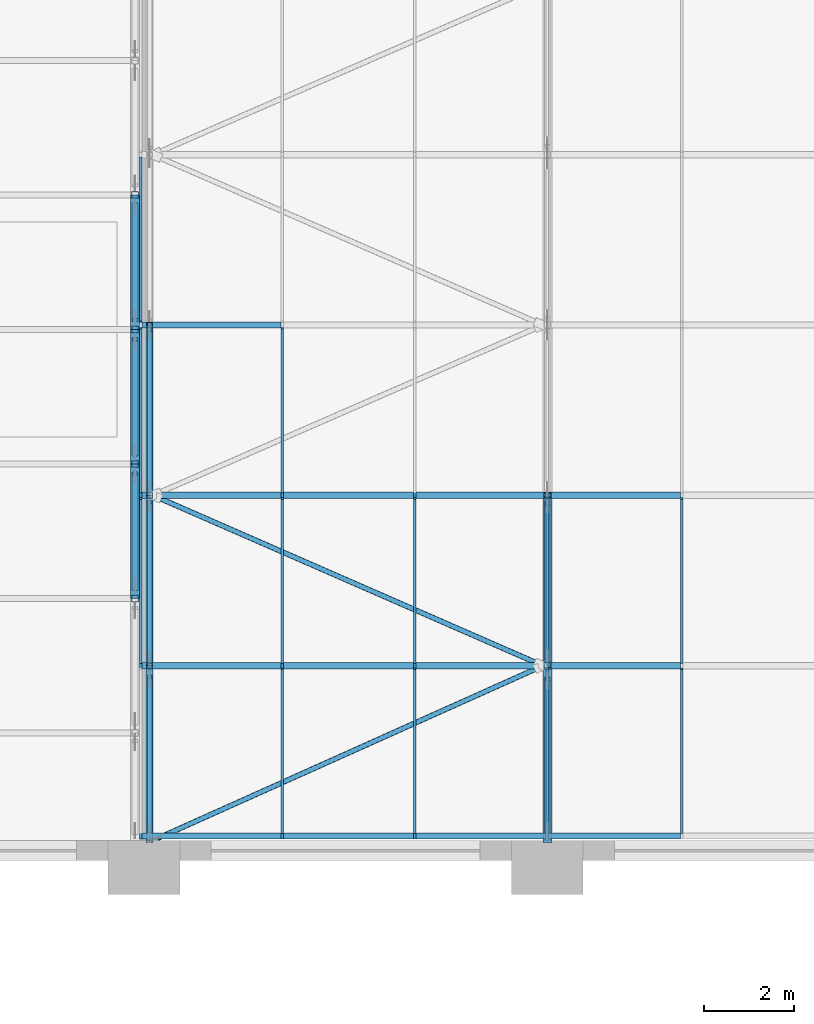
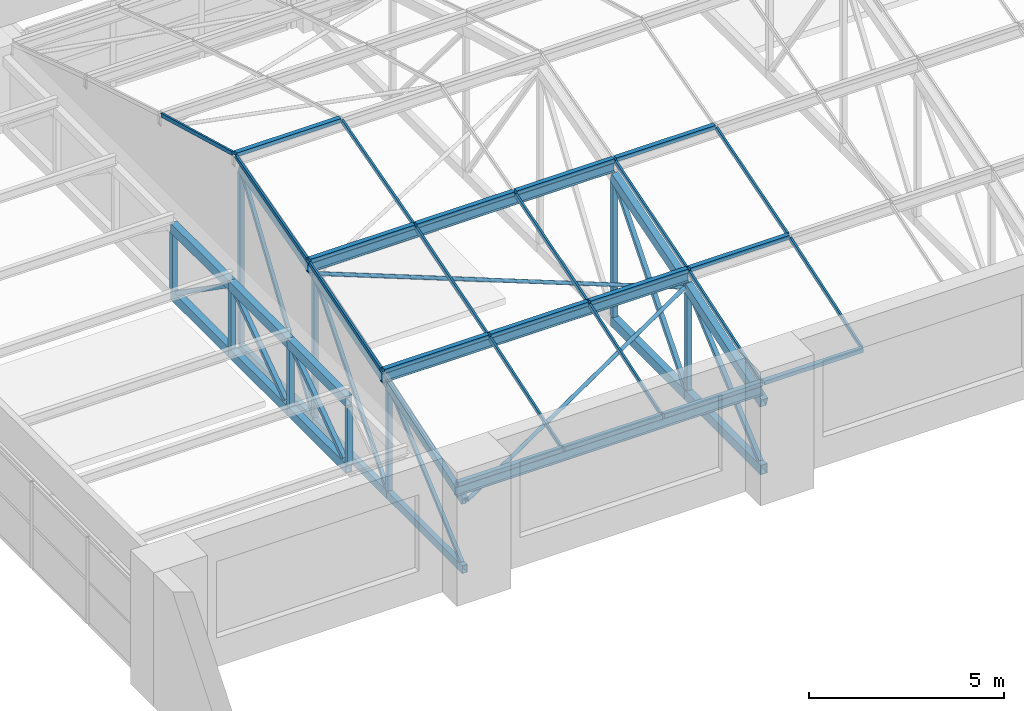
# One storey, part 6 of 82: 63 members, 1 element without a shape of its own.
"""IFC4 building model written with IfcOpenShell, lengths in metres."""

from ifc_helpers import new_model, si_unit, direction, frame, origin, origin_2d, place, context, subcontext, project, spatial, rectangle, hollow_rectangle, hollow_circle, i_section, extrude, material, material_profile, profile_set, type_object, element, aggregate, save


model = new_model("IFC4")

# Units and contexts
model_context = context("Model", 3, precision=1e-05, world=origin(), true_north=direction((0.0, 1.0)))
body_context = subcontext(model_context, "Body", "Model", "MODEL_VIEW")
ifc_project = project(units=[si_unit("LENGTHUNIT", "METRE"), si_unit("AREAUNIT", "SQUARE_METRE"), si_unit("VOLUMEUNIT", "CUBIC_METRE"), si_unit("PLANEANGLEUNIT", "RADIAN"), si_unit("MASSUNIT", "GRAM", prefix="KILO")], contexts=[model_context])

# Site, building, storey
site_placement = place(None, origin())
site = spatial("IfcSite", under=ifc_project, at=site_placement, CompositionType="ELEMENT")
building_placement = place(site_placement, origin())
building = spatial("IfcBuilding", under=site, at=building_placement, Name="Aravalli Gate Trade Fair Centre", CompositionType="ELEMENT")
storey_placement = place(building_placement, frame((0.0, 0.0, 19.199951171875)))
storey = spatial("IfcBuildingStorey", under=building, at=storey_placement, Name="L04", CompositionType="ELEMENT", Elevation=19.199951171875)

# Members
ifc_material_1 = material(Name="Steel E350", Category="steel")
ifc_material_profile_1 = material_profile(ifc_material_1, hollow_circle(Radius=0.05712890625, WallThickness=0.00439453125, at=origin_2d()), Name="CHS 114.3x4.5")
ifc_profile_set_1 = profile_set([ifc_material_profile_1], Name="Steel E350")
member_type_1 = type_object("IfcMemberType", Name="CHS 114.3x4.5 roof plan brace", PredefinedType="BRACE", material=ifc_profile_set_1)
member_1_placement = place(storey_placement, frame((15.199951171875, 109.60009765625, 2.265625), z_axis=(0.9046883178, 0.405542056645, 0.13067014934), x_axis=(-0.409049286778, 0.912512290869, 0.0)))
element("IfcMember", 1, at=member_1_placement, inside=storey, type_object=member_type_1, Name="Vault plan brace 2.1", PredefinedType="BRACE", context=body_context, shape_type="SweptSolid", body=[
    extrude(hollow_circle(Radius=0.05712890625, WallThickness=0.00439453125, at=origin_2d()), origin(), (0.0, 0.0, 1.0), 9.616455078125),
])
member_2_placement = place(storey_placement, frame((15.199951171875, 117.300048828125, 4.699462890625), z_axis=(0.909445062568, -0.397236211558, -0.122935228466), x_axis=(0.400272399235, 0.916396206022, 0.0)))
element("IfcMember", 2, at=member_2_placement, inside=storey, type_object=member_type_1, Name="Vault plan brace 2.2", PredefinedType="BRACE", context=body_context, shape_type="SweptSolid", body=[
    extrude(hollow_circle(Radius=0.05712890625, WallThickness=0.00439453125, at=origin_2d()), origin(), (0.0, 0.0, 1.0), 9.566162109375),
])
ifc_material_profile_2 = material_profile(ifc_material_1, i_section(OverallWidth=0.139892578125, OverallDepth=0.300048828125, WebThickness=0.0078125, FlangeThickness=0.01318359375, at=origin_2d()), Name="ISMB 300")
ifc_profile_set_2 = profile_set([ifc_material_profile_2], Name="Steel E350")
member_type_2 = type_object("IfcMemberType", Name="ISMB 300 roof purlin", PredefinedType="PURLIN", material=ifc_profile_set_2)
for number, where, z_axis, x_axis, name in (
    (3, (14.89990234375, 109.699951171875, 2.60302734375), (1.0, 0.0, 0.0), (0.0, 1.0, 0.0), "Vault purlin 02-03 F0"),
    (4, (14.89990234375, 113.5, 3.851318359375), (1.0, 0.0, 0.0), (0.0, 1.0, 0.0), "Vault purlin 02-03 F1"),
    (5, (14.89990234375, 117.300048828125, 4.999267578125), (1.0, 0.0, 0.0), (0.0, 1.0, 0.0), "Vault purlin 02-03 F2"),
):
    element("IfcMember", number, at=place(storey_placement, frame(where, z_axis=z_axis, x_axis=x_axis)), inside=storey, type_object=member_type_2, Name=name, PredefinedType="PURLIN", context=body_context, shape_type="SweptSolid", body=[
        extrude(i_section(OverallWidth=0.139892578125, OverallDepth=0.300048828125, WebThickness=0.0078125, FlangeThickness=0.01318359375, at=origin_2d()), origin(), (0.0, 0.0, 1.0), 9.10009765625),
    ])
ifc_material_profile_3 = material_profile(ifc_material_1, hollow_rectangle(XDim=0.14990234375, YDim=0.25, WallThickness=0.010009765625, at=origin_2d()), Name="RHS 250x150x10")
ifc_profile_set_3 = profile_set([ifc_material_profile_3], Name="Steel E350")
member_type_3 = type_object("IfcMemberType", Name="RHS 250x150x10 CT2 truss chord", PredefinedType="CHORD", material=ifc_profile_set_3)
member_3_placement = place(storey_placement, frame((15.125, 109.60009765625, 2.265625), z_axis=(0.0, 0.949936473318, 0.312443109479), x_axis=(-1.0, 0.0, 0.0)))
element("IfcMember", 6, at=member_3_placement, inside=storey, type_object=member_type_3, Name="Concourse vault truss CT2 line 02 top chord T1", PredefinedType="CHORD", context=body_context, shape_type="SweptSolid", body=[
    extrude(hollow_rectangle(XDim=0.14990234375, YDim=0.25, WallThickness=0.010009765625, at=origin_2d()), origin(), (0.0, 0.0, 1.0), 4.10546875),
])
member_4_placement = place(storey_placement, frame((15.125, 109.60009765625, 0.125), z_axis=(0.0, 1.0, 0.0), x_axis=(-1.0, 0.0, 0.0)))
element("IfcMember", 7, at=member_4_placement, inside=storey, type_object=member_type_3, Name="Concourse vault truss CT2 line 02 bottom chord B1", PredefinedType="CHORD", context=body_context, shape_type="SweptSolid", body=[
    extrude(hollow_rectangle(XDim=0.14990234375, YDim=0.25, WallThickness=0.010009765625, at=origin_2d()), origin(), (0.0, 0.0, 1.0), 3.89990234375),
])
member_5_placement = place(storey_placement, frame((15.125, 113.5, 3.549560546875), z_axis=(0.0, 0.957138110877, 0.289631898634), x_axis=(-1.0, 0.0, 0.0)))
element("IfcMember", 8, at=member_5_placement, inside=storey, type_object=member_type_3, Name="Concourse vault truss CT2 line 02 top chord T2", PredefinedType="CHORD", context=body_context, shape_type="SweptSolid", body=[
    extrude(hollow_rectangle(XDim=0.14990234375, YDim=0.25, WallThickness=0.010009765625, at=origin_2d()), origin(), (0.0, 0.0, 1.0), 3.97021484375),
])
member_6_placement = place(storey_placement, frame((15.125, 113.5, 0.125), z_axis=(0.0, 1.0, 0.0), x_axis=(-1.0, 0.0, 0.0)))
element("IfcMember", 9, at=member_6_placement, inside=storey, type_object=member_type_3, Name="Concourse vault truss CT2 line 02 bottom chord B2", PredefinedType="CHORD", context=body_context, shape_type="SweptSolid", body=[
    extrude(hollow_rectangle(XDim=0.14990234375, YDim=0.25, WallThickness=0.010009765625, at=origin_2d()), origin(), (0.0, 0.0, 1.0), 3.800048828125),
])
member_7_placement = place(storey_placement, frame((15.125, 117.300048828125, 4.700439453125), z_axis=(0.0, 0.963894016224, 0.266286172166), x_axis=(-1.0, 0.0, 0.0)))
element("IfcMember", 10, at=member_7_placement, inside=storey, type_object=member_type_3, Name="Concourse vault truss CT2 line 02 top chord T3", PredefinedType="CHORD", context=body_context, shape_type="SweptSolid", body=[
    extrude(hollow_rectangle(XDim=0.14990234375, YDim=0.25, WallThickness=0.010009765625, at=origin_2d()), origin(), (0.0, 0.0, 1.0), 3.9423828125),
])
member_8_placement = place(storey_placement, frame((15.125, 117.300048828125, 0.125), z_axis=(0.0, 1.0, 0.0), x_axis=(-1.0, 0.0, 0.0)))
element("IfcMember", 11, at=member_8_placement, inside=storey, type_object=member_type_3, Name="Concourse vault truss CT2 line 02 bottom chord B3", PredefinedType="CHORD", context=body_context, shape_type="SweptSolid", body=[
    extrude(hollow_rectangle(XDim=0.14990234375, YDim=0.25, WallThickness=0.010009765625, at=origin_2d()), origin(), (0.0, 0.0, 1.0), 3.800048828125),
])
ifc_material_profile_4 = material_profile(ifc_material_1, hollow_rectangle(XDim=0.199951171875, YDim=0.300048828125, WallThickness=0.011962890625, at=origin_2d()), Name="RHS 300x200x12")
ifc_profile_set_4 = profile_set([ifc_material_profile_4], Name="Steel E350")
member_type_4 = type_object("IfcMemberType", Name="RHS 300x200x12 CT1 truss chord", PredefinedType="CHORD", material=ifc_profile_set_4)
member_9_placement = place(storey_placement, frame((24.0, 109.60009765625, 2.2392578125), z_axis=(0.0, 0.949918822061, 0.312496770373), x_axis=(-1.0, 0.0, 0.0)))
element("IfcMember", 12, at=member_9_placement, inside=storey, type_object=member_type_4, Name="Concourse vault truss CT1 line 03 top chord T1", PredefinedType="CHORD", context=body_context, shape_type="SweptSolid", body=[
    extrude(hollow_rectangle(XDim=0.199951171875, YDim=0.300048828125, WallThickness=0.011962890625, at=origin_2d()), origin(), (0.0, 0.0, 1.0), 4.10546875),
])
member_10_placement = place(storey_placement, frame((24.0, 109.60009765625, 0.150146484375), z_axis=(0.0, 1.0, 0.0), x_axis=(-1.0, 0.0, 0.0)))
element("IfcMember", 13, at=member_10_placement, inside=storey, type_object=member_type_4, Name="Concourse vault truss CT1 line 03 bottom chord B1", PredefinedType="CHORD", context=body_context, shape_type="SweptSolid", body=[
    extrude(hollow_rectangle(XDim=0.199951171875, YDim=0.300048828125, WallThickness=0.011962890625, at=origin_2d()), origin(), (0.0, 0.0, 1.0), 3.89990234375),
])
member_11_placement = place(storey_placement, frame((24.0, 113.5, 3.5234375), z_axis=(0.0, 0.957138110877, 0.289631898634), x_axis=(-1.0, 0.0, 0.0)))
element("IfcMember", 14, at=member_11_placement, inside=storey, type_object=member_type_4, Name="Concourse vault truss CT1 line 03 top chord T2", PredefinedType="CHORD", context=body_context, shape_type="SweptSolid", body=[
    extrude(hollow_rectangle(XDim=0.199951171875, YDim=0.300048828125, WallThickness=0.011962890625, at=origin_2d()), origin(), (0.0, 0.0, 1.0), 3.97021484375),
])
member_12_placement = place(storey_placement, frame((24.0, 113.5, 0.150146484375), z_axis=(0.0, 1.0, 0.0), x_axis=(-1.0, 0.0, 0.0)))
element("IfcMember", 15, at=member_12_placement, inside=storey, type_object=member_type_4, Name="Concourse vault truss CT1 line 03 bottom chord B2", PredefinedType="CHORD", context=body_context, shape_type="SweptSolid", body=[
    extrude(hollow_rectangle(XDim=0.199951171875, YDim=0.300048828125, WallThickness=0.011962890625, at=origin_2d()), origin(), (0.0, 0.0, 1.0), 3.800048828125),
])
ifc_material_profile_5 = material_profile(ifc_material_1, hollow_rectangle(XDim=0.199951171875, YDim=0.300048828125, WallThickness=0.011962890625, at=origin_2d()), Name="RHS 300x200x12")
ifc_profile_set_5 = profile_set([ifc_material_profile_5], Name="Steel E350")
member_type_5 = type_object("IfcMemberType", Name="RHS 300x200x12 CT4 truss chord", PredefinedType="CHORD", material=ifc_profile_set_5)
for number, where, z_axis, x_axis, name in (
    (16, (14.800048828125, 115.0, 2.25), (0.0, 1.0, 0.0), (-1.0, 0.0, 0.0), "Concourse truss CT4 line 02F chord T3"),
    (17, (14.800048828125, 115.0, 0.150146484375), (0.0, 1.0, 0.0), (-1.0, 0.0, 0.0), "Concourse truss CT4 line 02F chord B3"),
    (18, (14.800048828125, 118.0, 2.25), (0.0, 1.0, 0.0), (-1.0, 0.0, 0.0), "Concourse truss CT4 line 02F chord T4"),
    (19, (14.800048828125, 118.0, 0.150146484375), (0.0, 1.0, 0.0), (-1.0, 0.0, 0.0), "Concourse truss CT4 line 02F chord B4"),
    (20, (14.800048828125, 121.0, 2.25), (0.0, 1.0, 0.0), (-1.0, 0.0, 0.0), "Concourse truss CT4 line 02F chord T5"),
    (21, (14.800048828125, 121.0, 0.150146484375), (0.0, 1.0, 0.0), (-1.0, 0.0, 0.0), "Concourse truss CT4 line 02F chord B5"),
):
    element("IfcMember", number, at=place(storey_placement, frame(where, z_axis=z_axis, x_axis=x_axis)), inside=storey, type_object=member_type_5, Name=name, PredefinedType="CHORD", context=body_context, shape_type="SweptSolid", body=[
        extrude(hollow_rectangle(XDim=0.199951171875, YDim=0.300048828125, WallThickness=0.011962890625, at=origin_2d()), origin(), (0.0, 0.0, 1.0), 3.0),
    ])
ifc_material_profile_6 = material_profile(ifc_material_1, hollow_rectangle(XDim=0.10009765625, YDim=0.10009765625, WallThickness=0.006103515625, at=origin_2d()), Name="SHS 100x100x6")
ifc_profile_set_6 = profile_set([ifc_material_profile_6], Name="Steel E350")
member_type_6 = type_object("IfcMemberType", Name="SHS 100x100x6 CT2 truss diagonal", PredefinedType="BRACE", material=ifc_profile_set_6)
member_13_placement = place(storey_placement, frame((15.125, 109.742431640625, 0.25), z_axis=(0.0, 0.751512751569, 0.659718564411), x_axis=(-1.0, 0.0, 0.0)))
element("IfcMember", 22, at=member_13_placement, inside=storey, type_object=member_type_6, Name="Concourse vault truss CT2 line 02 diagonal D1", PredefinedType="BRACE", context=body_context, shape_type="SweptSolid", body=[
    extrude(hollow_rectangle(XDim=0.10009765625, YDim=0.10009765625, WallThickness=0.006103515625, at=origin_2d()), origin(), (0.0, 0.0, 1.0), 4.680908203125),
])
member_14_placement = place(storey_placement, frame((15.125, 113.603759765625, 0.25), z_axis=(0.0, 0.638999701162, 0.769206982493), x_axis=(-1.0, 0.0, 0.0)))
element("IfcMember", 23, at=member_14_placement, inside=storey, type_object=member_type_6, Name="Concourse vault truss CT2 line 02 diagonal D2", PredefinedType="BRACE", context=body_context, shape_type="SweptSolid", body=[
    extrude(hollow_rectangle(XDim=0.10009765625, YDim=0.10009765625, WallThickness=0.006103515625, at=origin_2d()), origin(), (0.0, 0.0, 1.0), 5.5576171875),
])
member_15_placement = place(storey_placement, frame((15.125, 117.384521484375, 0.25), z_axis=(0.0, 0.559733700846, 0.828672543371), x_axis=(-1.0, 0.0, 0.0)))
element("IfcMember", 24, at=member_15_placement, inside=storey, type_object=member_type_6, Name="Concourse vault truss CT2 line 02 diagonal D3", PredefinedType="BRACE", context=body_context, shape_type="SweptSolid", body=[
    extrude(hollow_rectangle(XDim=0.10009765625, YDim=0.10009765625, WallThickness=0.006103515625, at=origin_2d()), origin(), (0.0, 0.0, 1.0), 6.4453125),
])
ifc_material_profile_7 = material_profile(ifc_material_1, hollow_rectangle(XDim=0.125, YDim=0.125, WallThickness=0.006103515625, at=origin_2d()), Name="SHS 125x125x6")
ifc_profile_set_7 = profile_set([ifc_material_profile_7], Name="Steel E350")
member_type_7 = type_object("IfcMemberType", Name="SHS 125x125x6 CT1 truss diagonal", PredefinedType="BRACE", material=ifc_profile_set_7)
member_16_placement = place(storey_placement, frame((24.0, 109.7734375, 0.300048828125), z_axis=(0.0, 0.756430814482, 0.654073713661), x_axis=(-1.0, 0.0, 0.0)))
element("IfcMember", 25, at=member_16_placement, inside=storey, type_object=member_type_7, Name="Concourse vault truss CT1 line 03 diagonal D1", PredefinedType="BRACE", context=body_context, shape_type="SweptSolid", body=[
    extrude(hollow_rectangle(XDim=0.125, YDim=0.125, WallThickness=0.006103515625, at=origin_2d()), origin(), (0.0, 0.0, 1.0), 4.53662109375),
])
member_17_placement = place(storey_placement, frame((24.0, 113.6259765625, 0.300048828125), z_axis=(0.0, 0.643253159982, 0.765653558845), x_axis=(-1.0, 0.0, 0.0)))
element("IfcMember", 26, at=member_17_placement, inside=storey, type_object=member_type_7, Name="Concourse vault truss CT1 line 03 diagonal D2", PredefinedType="BRACE", context=body_context, shape_type="SweptSolid", body=[
    extrude(hollow_rectangle(XDim=0.125, YDim=0.125, WallThickness=0.006103515625, at=origin_2d()), origin(), (0.0, 0.0, 1.0), 5.437255859375),
])
ifc_material_profile_8 = material_profile(ifc_material_1, hollow_rectangle(XDim=0.125, YDim=0.125, WallThickness=0.006103515625, at=origin_2d()), Name="SHS 125x125x6")
ifc_profile_set_8 = profile_set([ifc_material_profile_8], Name="Steel E350")
member_type_8 = type_object("IfcMemberType", Name="SHS 125x125x6 CT2 truss post", PredefinedType="POST", material=ifc_profile_set_8)
member_18_placement = place(storey_placement, frame((15.125, 113.5, 0.25), z_axis=(0.0, 0.0, 1.0), x_axis=(1.0, 0.0, 0.0)))
element("IfcMember", 27, at=member_18_placement, inside=storey, type_object=member_type_8, Name="Concourse vault truss CT2 line 02 post V1", PredefinedType="POST", context=body_context, shape_type="SweptSolid", body=[
    extrude(hollow_rectangle(XDim=0.125, YDim=0.125, WallThickness=0.006103515625, at=origin_2d()), origin(), (0.0, 0.0, 1.0), 3.166748046875),
])
member_19_placement = place(storey_placement, frame((15.125, 117.300048828125, 0.25), z_axis=(0.0, 0.0, 1.0), x_axis=(1.0, 0.0, 0.0)))
element("IfcMember", 28, at=member_19_placement, inside=storey, type_object=member_type_8, Name="Concourse vault truss CT2 line 02 post V2", PredefinedType="POST", context=body_context, shape_type="SweptSolid", body=[
    extrude(hollow_rectangle(XDim=0.125, YDim=0.125, WallThickness=0.006103515625, at=origin_2d()), origin(), (0.0, 0.0, 1.0), 4.31884765625),
])
member_20_placement = place(storey_placement, frame((15.125, 121.10009765625, 0.25), z_axis=(0.0, 0.0, 1.0), x_axis=(1.0, 0.0, 0.0)))
element("IfcMember", 29, at=member_20_placement, inside=storey, type_object=member_type_8, Name="Concourse vault truss CT2 line 02 post V3", PredefinedType="POST", context=body_context, shape_type="SweptSolid", body=[
    extrude(hollow_rectangle(XDim=0.125, YDim=0.125, WallThickness=0.006103515625, at=origin_2d()), origin(), (0.0, 0.0, 1.0), 5.37060546875),
])
ifc_material_profile_9 = material_profile(ifc_material_1, hollow_rectangle(XDim=0.125, YDim=0.125, WallThickness=0.006103515625, at=origin_2d()), Name="SHS 125x125x6")
ifc_profile_set_9 = profile_set([ifc_material_profile_9], Name="Steel E350")
member_type_9 = type_object("IfcMemberType", Name="SHS 125x125x6 CT4 truss diagonal", PredefinedType="BRACE", material=ifc_profile_set_9)
for number, where, z_axis, x_axis, name in (
    (30, (14.800048828125, 115.21435546875, 0.300048828125), (0.0, 0.819209994526, 0.573493665936), (-1.0, 0.0, 0.0), "Concourse truss CT4 line 02F diagonal D3"),
    (31, (14.800048828125, 118.21435546875, 0.300048828125), (0.0, 0.819209994526, 0.573493665936), (-1.0, 0.0, 0.0), "Concourse truss CT4 line 02F diagonal D4"),
    (32, (14.800048828125, 121.21435546875, 2.10009765625), (0.0, 0.819209994526, -0.573493665936), (-1.0, 0.0, 0.0), "Concourse truss CT4 line 02F diagonal D5"),
):
    element("IfcMember", number, at=place(storey_placement, frame(where, z_axis=z_axis, x_axis=x_axis)), inside=storey, type_object=member_type_9, Name=name, PredefinedType="BRACE", context=body_context, shape_type="SweptSolid", body=[
        extrude(hollow_rectangle(XDim=0.125, YDim=0.125, WallThickness=0.006103515625, at=origin_2d()), origin(), (0.0, 0.0, 1.0), 3.138671875),
    ])
ifc_material_profile_10 = material_profile(ifc_material_1, hollow_rectangle(XDim=0.14990234375, YDim=0.14990234375, WallThickness=0.006103515625, at=origin_2d()), Name="SHS 150x150x6")
ifc_profile_set_10 = profile_set([ifc_material_profile_10], Name="Steel E350")
member_type_10 = type_object("IfcMemberType", Name="SHS 150x150x6 CT1 truss post", PredefinedType="POST", material=ifc_profile_set_10)
member_21_placement = place(storey_placement, frame((24.0, 113.5, 0.300048828125), z_axis=(0.0, 0.0, 1.0), x_axis=(1.0, 0.0, 0.0)))
element("IfcMember", 33, at=member_21_placement, inside=storey, type_object=member_type_10, Name="Concourse vault truss CT1 line 03 post V1", PredefinedType="POST", context=body_context, shape_type="SweptSolid", body=[
    extrude(hollow_rectangle(XDim=0.14990234375, YDim=0.14990234375, WallThickness=0.006103515625, at=origin_2d()), origin(), (0.0, 0.0, 1.0), 3.064208984375),
])
member_22_placement = place(storey_placement, frame((24.0, 117.300048828125, 0.300048828125), z_axis=(0.0, 0.0, 1.0), x_axis=(1.0, 0.0, 0.0)))
element("IfcMember", 34, at=member_22_placement, inside=storey, type_object=member_type_10, Name="Concourse vault truss CT1 line 03 post V2", PredefinedType="POST", context=body_context, shape_type="SweptSolid", body=[
    extrude(hollow_rectangle(XDim=0.14990234375, YDim=0.14990234375, WallThickness=0.006103515625, at=origin_2d()), origin(), (0.0, 0.0, 1.0), 4.216552734375),
])
ifc_material_profile_11 = material_profile(ifc_material_1, hollow_rectangle(XDim=0.14990234375, YDim=0.14990234375, WallThickness=0.006103515625, at=origin_2d()), Name="SHS 150x150x6")
ifc_profile_set_11 = profile_set([ifc_material_profile_11], Name="Steel E350")
member_type_11 = type_object("IfcMemberType", Name="SHS 150x150x6 CT4 truss post", PredefinedType="POST", material=ifc_profile_set_11)
for number, where, z_axis, x_axis, name in (
    (35, (14.800048828125, 115.0, 0.300048828125), (0.0, 0.0, 1.0), (1.0, 0.0, 0.0), "Concourse truss CT4 line 02F post V2"),
    (36, (14.800048828125, 118.0, 0.300048828125), (0.0, 0.0, 1.0), (1.0, 0.0, 0.0), "Concourse truss CT4 line 02F post V3"),
    (37, (14.800048828125, 121.0, 0.300048828125), (0.0, 0.0, 1.0), (1.0, 0.0, 0.0), "Concourse truss CT4 line 02F post V4"),
    (38, (14.800048828125, 124.0, 0.300048828125), (0.0, 0.0, 1.0), (1.0, 0.0, 0.0), "Concourse truss CT4 line 02F post V5"),
):
    element("IfcMember", number, at=place(storey_placement, frame(where, z_axis=z_axis, x_axis=x_axis)), inside=storey, type_object=member_type_11, Name=name, PredefinedType="POST", context=body_context, shape_type="SweptSolid", body=[
        extrude(hollow_rectangle(XDim=0.14990234375, YDim=0.14990234375, WallThickness=0.006103515625, at=origin_2d()), origin(), (0.0, 0.0, 1.0), 1.800048828125),
    ])
ifc_material_2 = material(Name="Aluminium", Category="aluminium")
ifc_material_profile_12 = material_profile(ifc_material_2, rectangle(XDim=0.139892578125, YDim=0.1201171875, at=origin_2d()), Name="Vault fold cap 140 x 120")
ifc_profile_set_12 = profile_set([ifc_material_profile_12], Name="Aluminium")
member_type_12 = type_object("IfcMemberType", Name="Vault fold cap 140 x 120", PredefinedType="USERDEFINED", material=ifc_profile_set_12)
for number, where, z_axis, x_axis, name in (
    (39, (14.9599609375, 109.699951171875, 2.81298828125), (1.0, 0.0, 0.0), (0.0, 1.0, 0.0), "Vault fold cap w1.0"),
    (40, (14.9599609375, 113.5, 4.061279296875), (1.0, 0.0, 0.0), (0.0, 1.0, 0.0), "Vault fold cap w1.1"),
    (41, (14.9599609375, 117.300048828125, 5.209228515625), (1.0, 0.0, 0.0), (0.0, 1.0, 0.0), "Vault fold cap w1.2"),
    (42, (14.9599609375, 121.10009765625, 6.239990234375), (1.0, 0.0, 0.0), (0.0, 1.0, 0.0), "Vault fold cap w1.3"),
):
    element("IfcMember", number, at=place(storey_placement, frame(where, z_axis=z_axis, x_axis=x_axis)), inside=storey, type_object=member_type_12, Name=name, ObjectType="FOLD CAP", PredefinedType="USERDEFINED", context=body_context, shape_type="SweptSolid", body=[
        extrude(rectangle(XDim=0.139892578125, YDim=0.1201171875, at=origin_2d()), origin(), (0.0, 0.0, 1.0), 3.09326171875),
    ])
for number, where, z_axis, x_axis, name in (
    (43, (18.11328125, 109.699951171875, 2.81298828125), (1.0, 0.0, 0.0), (0.0, 1.0, 0.0), "Vault fold cap w2.0"),
    (44, (18.11328125, 113.5, 4.061279296875), (1.0, 0.0, 0.0), (0.0, 1.0, 0.0), "Vault fold cap w2.1"),
    (45, (18.11328125, 117.300048828125, 5.209228515625), (1.0, 0.0, 0.0), (0.0, 1.0, 0.0), "Vault fold cap w2.2"),
):
    element("IfcMember", number, at=place(storey_placement, frame(where, z_axis=z_axis, x_axis=x_axis)), inside=storey, type_object=member_type_12, Name=name, ObjectType="FOLD CAP", PredefinedType="USERDEFINED", context=body_context, shape_type="SweptSolid", body=[
        extrude(rectangle(XDim=0.139892578125, YDim=0.1201171875, at=origin_2d()), origin(), (0.0, 0.0, 1.0), 2.8984375),
    ])
for number, where, z_axis, x_axis, name in (
    (46, (21.07177734375, 109.699951171875, 2.81298828125), (1.0, 0.0, 0.0), (0.0, 1.0, 0.0), "Vault fold cap w3.0"),
    (47, (21.07177734375, 113.5, 4.061279296875), (1.0, 0.0, 0.0), (0.0, 1.0, 0.0), "Vault fold cap w3.1"),
    (48, (21.07177734375, 117.300048828125, 5.209228515625), (1.0, 0.0, 0.0), (0.0, 1.0, 0.0), "Vault fold cap w3.2"),
):
    element("IfcMember", number, at=place(storey_placement, frame(where, z_axis=z_axis, x_axis=x_axis)), inside=storey, type_object=member_type_12, Name=name, ObjectType="FOLD CAP", PredefinedType="USERDEFINED", context=body_context, shape_type="SweptSolid", body=[
        extrude(rectangle(XDim=0.139892578125, YDim=0.1201171875, at=origin_2d()), origin(), (0.0, 0.0, 1.0), 2.898193359375),
    ])
for number, where, z_axis, x_axis, name in (
    (49, (24.030029296875, 109.699951171875, 2.81298828125), (1.0, 0.0, 0.0), (0.0, 1.0, 0.0), "Vault fold cap w4.0"),
    (50, (24.030029296875, 113.5, 4.061279296875), (1.0, 0.0, 0.0), (0.0, 1.0, 0.0), "Vault fold cap w4.1"),
    (51, (24.030029296875, 117.300048828125, 5.209228515625), (1.0, 0.0, 0.0), (0.0, 1.0, 0.0), "Vault fold cap w4.2"),
):
    element("IfcMember", number, at=place(storey_placement, frame(where, z_axis=z_axis, x_axis=x_axis)), inside=storey, type_object=member_type_12, Name=name, ObjectType="FOLD CAP", PredefinedType="USERDEFINED", context=body_context, shape_type="SweptSolid", body=[
        extrude(rectangle(XDim=0.139892578125, YDim=0.1201171875, at=origin_2d()), origin(), (0.0, 0.0, 1.0), 2.93994140625),
    ])

# Curtain wall, members
ifc_material_3 = material(Name="Aluminium and glass", Category="aluminium")
curtain_wall_type = type_object("IfcCurtainWallType", Name="Vault curtain wall, sloped glazing", PredefinedType="NOTDEFINED", material=ifc_material_3)
curtain_wall_placement = place(storey_placement, origin())
curtain_wall = element("IfcCurtainWall", 52, at=curtain_wall_placement, inside=storey, type_object=curtain_wall_type, Name="Vault curtain wall w", PredefinedType="NOTDEFINED")
ifc_material_profile_13 = material_profile(ifc_material_2, rectangle(XDim=0.06005859375, YDim=0.1201171875, at=origin_2d()), Name="Vault glazing bar 60 x 120")
ifc_profile_set_13 = profile_set([ifc_material_profile_13], Name="Aluminium")
member_type_13 = type_object("IfcMemberType", Name="Vault glazing bar 60 x 120", PredefinedType="USERDEFINED", material=ifc_profile_set_13)
member_23_placement = place(storey_placement, frame((14.929931640625, 113.570068359375, 4.05859375), z_axis=(0.0, 0.957125834694, 0.289672464279), x_axis=(-1.0, 0.0, 0.0)))
member_23 = element("IfcMember", 53, at=member_23_placement, type_object=member_type_13, Name="Vault glazing bar w1.2", ObjectType="GLAZING BAR", PredefinedType="USERDEFINED", context=body_context, shape_type="SweptSolid", body=[
    extrude(rectangle(XDim=0.06005859375, YDim=0.1201171875, at=origin_2d()), origin(), (0.0, 0.0, 1.0), 3.823974609375),
])
member_24_placement = place(storey_placement, frame((14.929931640625, 117.3701171875, 5.20703125), z_axis=(0.0, 0.96386804037, 0.266380180859), x_axis=(-1.0, 0.0, 0.0)))
member_24 = element("IfcMember", 54, at=member_24_placement, type_object=member_type_13, Name="Vault glazing bar w1.3", ObjectType="GLAZING BAR", PredefinedType="USERDEFINED", context=body_context, shape_type="SweptSolid", body=[
    extrude(rectangle(XDim=0.06005859375, YDim=0.1201171875, at=origin_2d()), origin(), (0.0, 0.0, 1.0), 3.797119140625),
])
member_25_placement = place(storey_placement, frame((14.929931640625, 121.169921875, 6.218505859375), z_axis=(0.0, 0.963872602318, -0.266363673386), x_axis=(-1.0, 0.0, 0.0)))
member_25 = element("IfcMember", 55, at=member_25_placement, type_object=member_type_13, Name="Vault glazing bar w1.4", ObjectType="GLAZING BAR", PredefinedType="USERDEFINED", context=body_context, shape_type="SweptSolid", body=[
    extrude(rectangle(XDim=0.06005859375, YDim=0.1201171875, at=origin_2d()), origin(), (0.0, 0.0, 1.0), 3.79736328125),
])
member_26_placement = place(storey_placement, frame((18.083251953125, 109.77001953125, 2.81005859375), z_axis=(0.0, 0.949930492103, 0.31246129388), x_axis=(-1.0, 0.0, 0.0)))
member_26 = element("IfcMember", 56, at=member_26_placement, type_object=member_type_13, Name="Vault glazing bar w2.1", ObjectType="GLAZING BAR", PredefinedType="USERDEFINED", context=body_context, shape_type="SweptSolid", body=[
    extrude(rectangle(XDim=0.06005859375, YDim=0.1201171875, at=origin_2d()), origin(), (0.0, 0.0, 1.0), 3.852783203125),
])
member_27_placement = place(storey_placement, frame((18.083251953125, 113.570068359375, 4.05859375), z_axis=(0.0, 0.957125834694, 0.289672464279), x_axis=(-1.0, 0.0, 0.0)))
member_27 = element("IfcMember", 57, at=member_27_placement, type_object=member_type_13, Name="Vault glazing bar w2.2", ObjectType="GLAZING BAR", PredefinedType="USERDEFINED", context=body_context, shape_type="SweptSolid", body=[
    extrude(rectangle(XDim=0.06005859375, YDim=0.1201171875, at=origin_2d()), origin(), (0.0, 0.0, 1.0), 3.823974609375),
])
member_28_placement = place(storey_placement, frame((18.083251953125, 117.3701171875, 5.20703125), z_axis=(0.0, 0.96386804037, 0.266380180859), x_axis=(-1.0, 0.0, 0.0)))
member_28 = element("IfcMember", 58, at=member_28_placement, type_object=member_type_13, Name="Vault glazing bar w2.3", ObjectType="GLAZING BAR", PredefinedType="USERDEFINED", context=body_context, shape_type="SweptSolid", body=[
    extrude(rectangle(XDim=0.06005859375, YDim=0.1201171875, at=origin_2d()), origin(), (0.0, 0.0, 1.0), 3.797119140625),
])
member_29_placement = place(storey_placement, frame((21.041748046875, 109.77001953125, 2.81005859375), z_axis=(0.0, 0.949930492103, 0.31246129388), x_axis=(-1.0, 0.0, 0.0)))
member_29 = element("IfcMember", 59, at=member_29_placement, type_object=member_type_13, Name="Vault glazing bar w3.1", ObjectType="GLAZING BAR", PredefinedType="USERDEFINED", context=body_context, shape_type="SweptSolid", body=[
    extrude(rectangle(XDim=0.06005859375, YDim=0.1201171875, at=origin_2d()), origin(), (0.0, 0.0, 1.0), 3.852783203125),
])
member_30_placement = place(storey_placement, frame((21.041748046875, 113.570068359375, 4.05859375), z_axis=(0.0, 0.957125834694, 0.289672464279), x_axis=(-1.0, 0.0, 0.0)))
member_30 = element("IfcMember", 60, at=member_30_placement, type_object=member_type_13, Name="Vault glazing bar w3.2", ObjectType="GLAZING BAR", PredefinedType="USERDEFINED", context=body_context, shape_type="SweptSolid", body=[
    extrude(rectangle(XDim=0.06005859375, YDim=0.1201171875, at=origin_2d()), origin(), (0.0, 0.0, 1.0), 3.823974609375),
])
member_31_placement = place(storey_placement, frame((24.0, 109.77001953125, 2.81005859375), z_axis=(0.0, 0.949930492103, 0.31246129388), x_axis=(-1.0, 0.0, 0.0)))
member_31 = element("IfcMember", 61, at=member_31_placement, type_object=member_type_13, Name="Vault glazing bar w4.1", ObjectType="GLAZING BAR", PredefinedType="USERDEFINED", context=body_context, shape_type="SweptSolid", body=[
    extrude(rectangle(XDim=0.06005859375, YDim=0.1201171875, at=origin_2d()), origin(), (0.0, 0.0, 1.0), 3.852783203125),
])
member_32_placement = place(storey_placement, frame((24.0, 113.570068359375, 4.05859375), z_axis=(0.0, 0.957125834694, 0.289672464279), x_axis=(-1.0, 0.0, 0.0)))
member_32 = element("IfcMember", 62, at=member_32_placement, type_object=member_type_13, Name="Vault glazing bar w4.2", ObjectType="GLAZING BAR", PredefinedType="USERDEFINED", context=body_context, shape_type="SweptSolid", body=[
    extrude(rectangle(XDim=0.06005859375, YDim=0.1201171875, at=origin_2d()), origin(), (0.0, 0.0, 1.0), 3.823974609375),
])
member_33_placement = place(storey_placement, frame((27.0, 109.77001953125, 2.81005859375), z_axis=(0.0, 0.949930492103, 0.31246129388), x_axis=(-1.0, 0.0, 0.0)))
member_33 = element("IfcMember", 63, at=member_33_placement, type_object=member_type_13, Name="Vault glazing bar w5.1", ObjectType="GLAZING BAR", PredefinedType="USERDEFINED", context=body_context, shape_type="SweptSolid", body=[
    extrude(rectangle(XDim=0.06005859375, YDim=0.1201171875, at=origin_2d()), origin(), (0.0, 0.0, 1.0), 3.852783203125),
])
member_34_placement = place(storey_placement, frame((27.0, 113.570068359375, 4.05859375), z_axis=(0.0, 0.957125834694, 0.289672464279), x_axis=(-1.0, 0.0, 0.0)))
member_34 = element("IfcMember", 64, at=member_34_placement, type_object=member_type_13, Name="Vault glazing bar w5.2", ObjectType="GLAZING BAR", PredefinedType="USERDEFINED", context=body_context, shape_type="SweptSolid", body=[
    extrude(rectangle(XDim=0.06005859375, YDim=0.1201171875, at=origin_2d()), origin(), (0.0, 0.0, 1.0), 3.823974609375),
])
aggregate(curtain_wall, [member_23, member_24, member_25, member_26, member_27, member_28, member_29, member_30, member_31, member_32, member_33, member_34])

save(model, "model.ifc")
